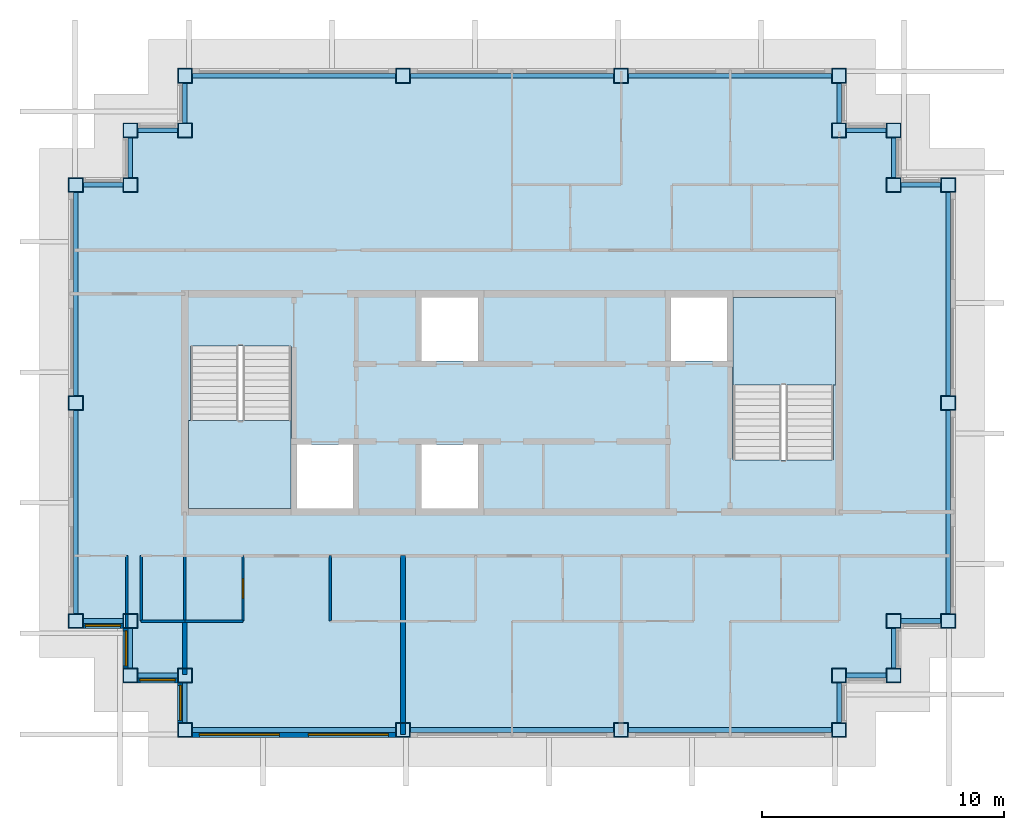
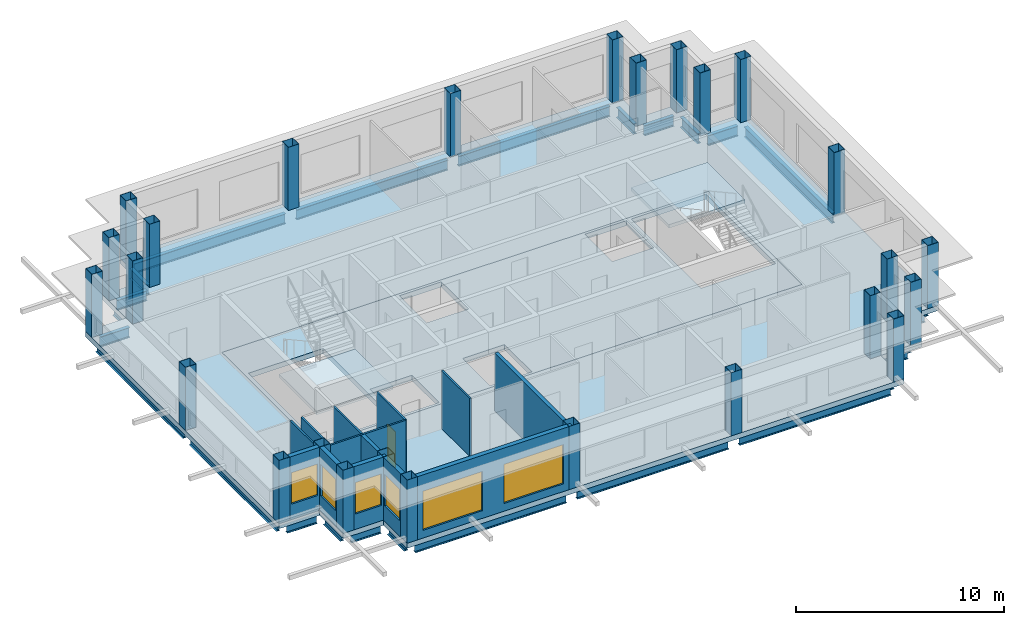
# One storey, part 1 of 10: 26 beams, 26 columns, 14 walls, 6 windows, 4 slabs, 1 door, 7 openings, 2 elements without a shape of their own.
"""IFC4 building model written with IfcOpenShell, lengths in metres."""

from ifc_helpers import new_model, si_unit, direction, frame, frame_2d, origin, origin_2d, place, context, subcontext, project, spatial, polyline, rectangle, hollow_rectangle, i_section, outline, extrude, material, layer, layer_set, material_profile, profile_set, type_object, element, fill, aggregate, save


model = new_model("IFC4")

# Units and contexts
model_context = context("Model", 3, precision=1e-05, world=origin(), true_north=direction((0.0, 1.0)))
body_context = subcontext(model_context, "Body", "Model", "MODEL_VIEW")
ifc_project = project(units=[si_unit("LENGTHUNIT", "METRE"), si_unit("AREAUNIT", "SQUARE_METRE"), si_unit("VOLUMEUNIT", "CUBIC_METRE"), si_unit("PLANEANGLEUNIT", "RADIAN"), si_unit("MASSUNIT", "GRAM", prefix="KILO")], contexts=[model_context])

# Site, building, storey
site_placement = place(None, origin())
site = spatial("IfcSite", under=ifc_project, at=site_placement, CompositionType="ELEMENT")
building_placement = place(site_placement, origin())
building = spatial("IfcBuilding", under=site, at=building_placement, Name="Caravel Reach Hotel and Residences", CompositionType="ELEMENT")
storey_placement = place(building_placement, frame((0.0, 0.0, 290.800048828125)))
storey = spatial("IfcBuildingStorey", under=building, at=storey_placement, Name="L74", CompositionType="ELEMENT", Elevation=290.800048828125)

# Columns
ifc_material_1 = material(Name="Concrete-filled steel tube Q390B with Concrete C60 infill", Category="concrete")
ifc_material_profile_1 = material_profile(ifc_material_1, hollow_rectangle(XDim=0.60009765625, YDim=0.60009765625, WallThickness=0.02001953125, at=origin_2d()), Name="RHS 600x600x20")
ifc_profile_set_1 = profile_set([ifc_material_profile_1], Name="Concrete-filled steel tube Q390B with Concrete C60 infill")
column_type = type_object("IfcColumnType", Name="CFT 600x600 Q390B C60", PredefinedType="COLUMN", material=ifc_profile_set_1)
for number, where, z_axis, x_axis, name in (
    (1, (45.0, 13.5, 0.0), (0.0, 0.0, 1.0), (1.0, 0.0, 0.0), "C8 column"),
    (2, (45.0, 15.75, 0.0), (0.0, 0.0, 1.0), (1.0, 0.0, 0.0), "C8 column"),
    (3, (47.25, 15.75, 0.0), (0.0, 0.0, 1.0), (1.0, 0.0, 0.0), "C8 column"),
    (4, (47.25, 18.0, 0.0), (0.0, 0.0, 1.0), (1.0, 0.0, 0.0), "C8 column"),
    (5, (49.5, 18.0, 0.0), (0.0, 0.0, 1.0), (1.0, 0.0, 0.0), "C8 column"),
    (6, (49.5, 27.0, 0.0), (0.0, 0.0, 1.0), (1.0, 0.0, 0.0), "C8 column"),
    (7, (49.5, 36.0, 0.0), (0.0, 0.0, 1.0), (1.0, 0.0, 0.0), "C8 column"),
    (8, (47.25, 36.0, 0.0), (0.0, 0.0, 1.0), (1.0, 0.0, 0.0), "C8 column"),
    (9, (47.25, 38.25, 0.0), (0.0, 0.0, 1.0), (1.0, 0.0, 0.0), "C8 column"),
    (10, (45.0, 38.25, 0.0), (0.0, 0.0, 1.0), (1.0, 0.0, 0.0), "C8 column"),
    (11, (45.0, 40.5, 0.0), (0.0, 0.0, 1.0), (1.0, 0.0, 0.0), "C8 column"),
    (12, (36.0, 40.5, 0.0), (0.0, 0.0, 1.0), (1.0, 0.0, 0.0), "C8 column"),
    (13, (27.0, 40.5, 0.0), (0.0, 0.0, 1.0), (1.0, 0.0, 0.0), "C8 column"),
    (14, (18.0, 40.5, 0.0), (0.0, 0.0, 1.0), (1.0, 0.0, 0.0), "C8 column"),
    (15, (18.0, 38.25, 0.0), (0.0, 0.0, 1.0), (1.0, 0.0, 0.0), "C8 column"),
    (16, (15.75, 38.25, 0.0), (0.0, 0.0, 1.0), (1.0, 0.0, 0.0), "C8 column"),
    (17, (15.75, 36.0, 0.0), (0.0, 0.0, 1.0), (1.0, 0.0, 0.0), "C8 column"),
    (18, (13.5, 36.0, 0.0), (0.0, 0.0, 1.0), (1.0, 0.0, 0.0), "C8 column"),
    (19, (13.5, 27.0, 0.0), (0.0, 0.0, 1.0), (1.0, 0.0, 0.0), "C8 column"),
    (20, (13.5, 18.0, 0.0), (0.0, 0.0, 1.0), (1.0, 0.0, 0.0), "C8 column"),
    (21, (15.75, 18.0, 0.0), (0.0, 0.0, 1.0), (1.0, 0.0, 0.0), "C8 column"),
    (22, (15.75, 15.75, 0.0), (0.0, 0.0, 1.0), (1.0, 0.0, 0.0), "C8 column"),
    (23, (18.0, 15.75, 0.0), (0.0, 0.0, 1.0), (1.0, 0.0, 0.0), "C8 column"),
    (24, (18.0, 13.5, 0.0), (0.0, 0.0, 1.0), (1.0, 0.0, 0.0), "C8 column"),
    (25, (27.0, 13.5, 0.0), (0.0, 0.0, 1.0), (1.0, 0.0, 0.0), "C8 column"),
    (26, (36.0, 13.5, 0.0), (0.0, 0.0, 1.0), (1.0, 0.0, 0.0), "C8 column"),
):
    element("IfcColumn", number, at=place(storey_placement, frame(where, z_axis=z_axis, x_axis=x_axis)), inside=storey, type_object=column_type, Name=name, PredefinedType="COLUMN", context=body_context, shape_type="SweptSolid", body=[
        extrude(hollow_rectangle(XDim=0.60009765625, YDim=0.60009765625, WallThickness=0.02001953125, at=origin_2d()), origin(), (0.0, 0.0, 1.0), 3.699951171875),
    ])

# Beams
ifc_material_2 = material(Name="Structural steel Q355B", Category="steel")
ifc_material_profile_2 = material_profile(ifc_material_2, i_section(OverallWidth=0.199951171875, OverallDepth=0.60009765625, WebThickness=0.010986328125, FlangeThickness=0.01708984375, FilletRadius=0.012939453125, at=origin_2d()), Name="HN 600x200x11x17")
ifc_profile_set_2 = profile_set([ifc_material_profile_2], Name="Structural steel Q355B")
beam_type = type_object("IfcBeamType", Name="Spandrel beam HN 600x200x11x17", PredefinedType="SPANDREL", material=ifc_profile_set_2)
for number, where, z_axis, x_axis, name in (
    (27, (45.0, 13.800048828125, -0.60009765625), (0.0, 1.0, 0.0), (-1.0, 0.0, 0.0), "SP1 HN 600x200x11x17"),
    (28, (45.300048828125, 15.75, -0.60009765625), (1.0, 0.0, 0.0), (0.0, 1.0, 0.0), "SP1 HN 600x200x11x17"),
    (29, (47.25, 16.050048828125, -0.60009765625), (0.0, 1.0, 0.0), (-1.0, 0.0, 0.0), "SP1 HN 600x200x11x17"),
    (30, (47.550048828125, 18.0, -0.60009765625), (1.0, 0.0, 0.0), (0.0, 1.0, 0.0), "SP1 HN 600x200x11x17"),
):
    element("IfcBeam", number, at=place(storey_placement, frame(where, z_axis=z_axis, x_axis=x_axis)), inside=storey, type_object=beam_type, Name=name, PredefinedType="SPANDREL", context=body_context, shape_type="SweptSolid", body=[
        extrude(i_section(OverallWidth=0.199951171875, OverallDepth=0.60009765625, WebThickness=0.010986328125, FlangeThickness=0.01708984375, FilletRadius=0.012939453125, at=origin_2d()), origin(), (0.0, 0.0, 1.0), 1.64990234375),
    ])
for number, where, z_axis, x_axis, name in (
    (31, (49.5, 18.300048828125, -0.60009765625), (0.0, 1.0, 0.0), (-1.0, 0.0, 0.0), "SP1 HN 600x200x11x17"),
    (32, (49.5, 27.300048828125, -0.60009765625), (0.0, 1.0, 0.0), (-1.0, 0.0, 0.0), "SP1 HN 600x200x11x17"),
):
    element("IfcBeam", number, at=place(storey_placement, frame(where, z_axis=z_axis, x_axis=x_axis)), inside=storey, type_object=beam_type, Name=name, PredefinedType="SPANDREL", context=body_context, shape_type="SweptSolid", body=[
        extrude(i_section(OverallWidth=0.199951171875, OverallDepth=0.60009765625, WebThickness=0.010986328125, FlangeThickness=0.01708984375, FilletRadius=0.012939453125, at=origin_2d()), origin(), (0.0, 0.0, 1.0), 8.39990234375),
    ])
for number, where, z_axis, x_axis, name in (
    (33, (49.199951171875, 36.0, -0.60009765625), (-1.0, 0.0, 0.0), (0.0, -1.0, 0.0), "SP1 HN 600x200x11x17"),
    (34, (47.25, 36.300048828125, -0.60009765625), (0.0, 1.0, 0.0), (-1.0, 0.0, 0.0), "SP1 HN 600x200x11x17"),
    (35, (46.949951171875, 38.25, -0.60009765625), (-1.0, 0.0, 0.0), (0.0, -1.0, 0.0), "SP1 HN 600x200x11x17"),
    (36, (45.0, 38.550048828125, -0.60009765625), (0.0, 1.0, 0.0), (-1.0, 0.0, 0.0), "SP1 HN 600x200x11x17"),
):
    element("IfcBeam", number, at=place(storey_placement, frame(where, z_axis=z_axis, x_axis=x_axis)), inside=storey, type_object=beam_type, Name=name, PredefinedType="SPANDREL", context=body_context, shape_type="SweptSolid", body=[
        extrude(i_section(OverallWidth=0.199951171875, OverallDepth=0.60009765625, WebThickness=0.010986328125, FlangeThickness=0.01708984375, FilletRadius=0.012939453125, at=origin_2d()), origin(), (0.0, 0.0, 1.0), 1.64990234375),
    ])
for number, where, z_axis, x_axis, name in (
    (37, (44.699951171875, 40.5, -0.60009765625), (-1.0, 0.0, 0.0), (0.0, -1.0, 0.0), "SP1 HN 600x200x11x17"),
    (38, (35.699951171875, 40.5, -0.60009765625), (-1.0, 0.0, 0.0), (0.0, -1.0, 0.0), "SP1 HN 600x200x11x17"),
    (39, (26.699951171875, 40.5, -0.60009765625), (-1.0, 0.0, 0.0), (0.0, -1.0, 0.0), "SP1 HN 600x200x11x17"),
):
    element("IfcBeam", number, at=place(storey_placement, frame(where, z_axis=z_axis, x_axis=x_axis)), inside=storey, type_object=beam_type, Name=name, PredefinedType="SPANDREL", context=body_context, shape_type="SweptSolid", body=[
        extrude(i_section(OverallWidth=0.199951171875, OverallDepth=0.60009765625, WebThickness=0.010986328125, FlangeThickness=0.01708984375, FilletRadius=0.012939453125, at=origin_2d()), origin(), (0.0, 0.0, 1.0), 8.39990234375),
    ])
for number, where, z_axis, x_axis, name in (
    (40, (18.0, 40.199951171875, -0.60009765625), (0.0, -1.0, 0.0), (1.0, 0.0, 0.0), "SP1 HN 600x200x11x17"),
    (41, (17.699951171875, 38.25, -0.60009765625), (-1.0, 0.0, 0.0), (0.0, -1.0, 0.0), "SP1 HN 600x200x11x17"),
    (42, (15.75, 37.949951171875, -0.60009765625), (0.0, -1.0, 0.0), (1.0, 0.0, 0.0), "SP1 HN 600x200x11x17"),
    (43, (15.449951171875, 36.0, -0.60009765625), (-1.0, 0.0, 0.0), (0.0, -1.0, 0.0), "SP1 HN 600x200x11x17"),
):
    element("IfcBeam", number, at=place(storey_placement, frame(where, z_axis=z_axis, x_axis=x_axis)), inside=storey, type_object=beam_type, Name=name, PredefinedType="SPANDREL", context=body_context, shape_type="SweptSolid", body=[
        extrude(i_section(OverallWidth=0.199951171875, OverallDepth=0.60009765625, WebThickness=0.010986328125, FlangeThickness=0.01708984375, FilletRadius=0.012939453125, at=origin_2d()), origin(), (0.0, 0.0, 1.0), 1.64990234375),
    ])
for number, where, z_axis, x_axis, name in (
    (44, (13.5, 35.699951171875, -0.60009765625), (0.0, -1.0, 0.0), (1.0, 0.0, 0.0), "SP1 HN 600x200x11x17"),
    (45, (13.5, 26.699951171875, -0.60009765625), (0.0, -1.0, 0.0), (1.0, 0.0, 0.0), "SP1 HN 600x200x11x17"),
):
    element("IfcBeam", number, at=place(storey_placement, frame(where, z_axis=z_axis, x_axis=x_axis)), inside=storey, type_object=beam_type, Name=name, PredefinedType="SPANDREL", context=body_context, shape_type="SweptSolid", body=[
        extrude(i_section(OverallWidth=0.199951171875, OverallDepth=0.60009765625, WebThickness=0.010986328125, FlangeThickness=0.01708984375, FilletRadius=0.012939453125, at=origin_2d()), origin(), (0.0, 0.0, 1.0), 8.39990234375),
    ])
for number, where, z_axis, x_axis, name in (
    (46, (13.800048828125, 18.0, -0.60009765625), (1.0, 0.0, 0.0), (0.0, 1.0, 0.0), "SP1 HN 600x200x11x17"),
    (47, (15.75, 17.699951171875, -0.60009765625), (0.0, -1.0, 0.0), (1.0, 0.0, 0.0), "SP1 HN 600x200x11x17"),
    (48, (16.050048828125, 15.75, -0.60009765625), (1.0, 0.0, 0.0), (0.0, 1.0, 0.0), "SP1 HN 600x200x11x17"),
    (49, (18.0, 15.449951171875, -0.60009765625), (0.0, -1.0, 0.0), (1.0, 0.0, 0.0), "SP1 HN 600x200x11x17"),
):
    element("IfcBeam", number, at=place(storey_placement, frame(where, z_axis=z_axis, x_axis=x_axis)), inside=storey, type_object=beam_type, Name=name, PredefinedType="SPANDREL", context=body_context, shape_type="SweptSolid", body=[
        extrude(i_section(OverallWidth=0.199951171875, OverallDepth=0.60009765625, WebThickness=0.010986328125, FlangeThickness=0.01708984375, FilletRadius=0.012939453125, at=origin_2d()), origin(), (0.0, 0.0, 1.0), 1.64990234375),
    ])
for number, where, z_axis, x_axis, name in (
    (50, (18.300048828125, 13.5, -0.60009765625), (1.0, 0.0, 0.0), (0.0, 1.0, 0.0), "SP1 HN 600x200x11x17"),
    (51, (27.300048828125, 13.5, -0.60009765625), (1.0, 0.0, 0.0), (0.0, 1.0, 0.0), "SP1 HN 600x200x11x17"),
    (52, (36.300048828125, 13.5, -0.60009765625), (1.0, 0.0, 0.0), (0.0, 1.0, 0.0), "SP1 HN 600x200x11x17"),
):
    element("IfcBeam", number, at=place(storey_placement, frame(where, z_axis=z_axis, x_axis=x_axis)), inside=storey, type_object=beam_type, Name=name, PredefinedType="SPANDREL", context=body_context, shape_type="SweptSolid", body=[
        extrude(i_section(OverallWidth=0.199951171875, OverallDepth=0.60009765625, WebThickness=0.010986328125, FlangeThickness=0.01708984375, FilletRadius=0.012939453125, at=origin_2d()), origin(), (0.0, 0.0, 1.0), 8.39990234375),
    ])

# Slab
ifc_material_3 = material(Name="Concrete C40", Category="concrete")
ifc_layer_1 = layer(ifc_material_3, 0.300048828125)
ifc_layer_set_1 = layer_set([ifc_layer_1], Name="Core floor slab 300 mm")
slab_type_1 = type_object("IfcSlabType", Name="Core floor slab 300 mm", PredefinedType="FLOOR", material=ifc_layer_set_1)
slab_1_placement = place(storey_placement, frame((0.0, 0.0, -0.300048828125)))
element("IfcSlab", 53, at=slab_1_placement, inside=storey, type_object=slab_type_1, Name="L74 core floor", PredefinedType="FLOOR", context=body_context, shape_type="SweptSolid", body=[
    extrude(outline(polyline([(18.0, 31.5), (45.0, 31.5), (45.0, 22.5), (18.0, 22.5), (18.0, 31.5)]), holes=[polyline([(22.625, 22.64990234375), (24.9462890625, 22.64990234375), (24.9462890625, 25.27490234375), (22.625, 25.27490234375), (22.625, 22.64990234375)]), polyline([(27.767822265625, 25.27490234375), (27.767822265625, 22.64990234375), (30.08935546875, 22.64990234375), (30.08935546875, 25.27490234375), (27.767822265625, 25.27490234375)]), polyline([(22.375, 22.64990234375), (22.375, 29.35009765625), (18.22509765625, 29.35009765625), (18.22509765625, 22.64990234375), (22.375, 22.64990234375)]), polyline([(40.625, 24.64990234375), (44.77490234375, 24.64990234375), (44.77490234375, 31.35009765625), (40.625, 31.35009765625), (40.625, 24.64990234375)]), polyline([(27.767822265625, 31.35009765625), (27.767822265625, 28.72509765625), (30.08935546875, 28.72509765625), (30.08935546875, 31.35009765625), (27.767822265625, 31.35009765625)]), polyline([(38.0537109375, 31.35009765625), (38.0537109375, 28.72509765625), (40.375, 28.72509765625), (40.375, 31.35009765625), (38.0537109375, 31.35009765625)])]), origin(), (0.0, 0.0, 1.0), 0.300048828125),
])

# Stair, slab
ifc_material_4 = material(Name="Concrete C40", Category="concrete")
stair_type = type_object("IfcStairType", Name="Core stair", PredefinedType="HALF_TURN_STAIR", material=ifc_material_4)
stair_1_placement = place(storey_placement, origin())
stair_1 = element("IfcStair", 54, at=stair_1_placement, inside=storey, type_object=stair_type, Name="L74 Exit stair A", PredefinedType="HALF_TURN_STAIR")
ifc_material_5 = material(Name="Concrete C40", Category="concrete")
ifc_layer_2 = layer(ifc_material_5, 0.199951171875)
ifc_layer_set_2 = layer_set([ifc_layer_2], Name="Core stair landing")
slab_type_2 = type_object("IfcSlabType", Name="Core stair landing", PredefinedType="LANDING", material=ifc_layer_set_2)
slab_2_placement = place(storey_placement, frame((0.0, 0.0, 1.64990234375)))
slab_2 = element("IfcSlab", 55, at=slab_2_placement, type_object=slab_type_2, Name="ST-A landing 1", PredefinedType="LANDING", context=body_context, shape_type="SweptSolid", body=[
    extrude(outline(polyline([(18.14990234375, 26.27001953125), (18.14990234375, 22.64990234375), (22.375, 22.64990234375), (22.375, 26.27001953125), (18.14990234375, 26.27001953125)])), origin(), (0.0, 0.0, 1.0), 0.199951171875),
])
aggregate(stair_1, [slab_2])

stair_2_placement = place(storey_placement, origin())
stair_2 = element("IfcStair", 56, at=stair_2_placement, inside=storey, type_object=stair_type, Name="L74 Exit stair B", PredefinedType="HALF_TURN_STAIR")
slab_3_placement = place(storey_placement, frame((0.0, 0.0, 1.64990234375)))
slab_3 = element("IfcSlab", 57, at=slab_3_placement, type_object=slab_type_2, Name="ST-B landing 1", PredefinedType="LANDING", context=body_context, shape_type="SweptSolid", body=[
    extrude(outline(polyline([(44.85009765625, 27.72998046875), (44.85009765625, 31.35009765625), (40.625, 31.35009765625), (40.625, 27.72998046875), (44.85009765625, 27.72998046875)])), origin(), (0.0, 0.0, 1.0), 0.199951171875),
])
aggregate(stair_2, [slab_3])

# Slab
ifc_material_6 = material(Name="Concrete C40 post-tensioned", Category="concrete")
ifc_layer_3 = layer(ifc_material_6, 0.300048828125)
ifc_layer_set_3 = layer_set([ifc_layer_3], Name="Floor slab 300")
slab_type_3 = type_object("IfcSlabType", Name="Floor slab 300", PredefinedType="FLOOR", material=ifc_layer_set_3)
slab_4_placement = place(storey_placement, frame((0.0, 0.0, -0.300048828125)))
element("IfcSlab", 58, at=slab_4_placement, inside=storey, type_object=slab_type_3, Name="S2 slab L74", PredefinedType="FLOOR", context=body_context, shape_type="SweptSolid", body=[
    extrude(outline(polyline([(17.699951171875, 15.449951171875), (15.449951171875, 15.449951171875), (15.449951171875, 17.699951171875), (13.199951171875, 17.699951171875), (13.199951171875, 36.300048828125), (15.449951171875, 36.300048828125), (15.449951171875, 38.550048828125), (17.699951171875, 38.550048828125), (17.699951171875, 40.800048828125), (45.300048828125, 40.800048828125), (45.300048828125, 38.550048828125), (47.550048828125, 38.550048828125), (47.550048828125, 36.300048828125), (49.800048828125, 36.300048828125), (49.800048828125, 17.699951171875), (47.550048828125, 17.699951171875), (47.550048828125, 15.449951171875), (45.300048828125, 15.449951171875), (45.300048828125, 13.199951171875), (17.699951171875, 13.199951171875), (17.699951171875, 15.449951171875)]), holes=[polyline([(45.0, 31.5), (18.0, 31.5), (18.0, 22.5), (45.0, 22.5), (45.0, 31.5)])]), origin(), (0.0, 0.0, 1.0), 0.300048828125),
])

# Walls
ifc_material_7 = material(Name="Gypsum board on steel stud", Category="steel")
ifc_layer_4 = layer(ifc_material_7, 0.10009765625)
ifc_layer_set_4 = layer_set([ifc_layer_4], Name="Bathroom pod wall 100 mm")
wall_type_1 = type_object("IfcWallType", Name="Bathroom pod wall 100 mm", PredefinedType="PARTITIONING", material=ifc_layer_set_4)
wall_1_placement = place(storey_placement, frame((18.0, 18.0, 0.0), z_axis=(0.0, 0.0, 1.0), x_axis=(1.0, 0.0, 0.0)))
element("IfcWall", 59, at=wall_1_placement, inside=storey, type_object=wall_type_1, Name="L74 wall w045", PredefinedType="PARTITIONING", context=body_context, shape_type="SweptSolid", body=[
    extrude(rectangle(XDim=2.39990234375, YDim=0.10009765625, at=frame_2d((1.199951171875, 0.0))), origin(), (0.0, 0.0, 1.0), 3.39990234375),
])
wall_2_placement = place(storey_placement, frame((15.60009765625, 17.699951171875, 0.0), z_axis=(0.0, 0.0, 1.0), x_axis=(0.0, 1.0, 0.0)))
element("IfcWall", 60, at=wall_2_placement, inside=storey, type_object=wall_type_1, Name="L74 wall w054", PredefinedType="PARTITIONING", context=body_context, shape_type="SweptSolid", body=[
    extrude(rectangle(XDim=3.0, YDim=0.10009765625, at=frame_2d((1.5, 0.0))), origin(), (0.0, 0.0, 1.0), 3.39990234375),
])
wall_3_placement = place(storey_placement, frame((18.0, 18.0, 0.0), z_axis=(0.0, 0.0, 1.0), x_axis=(0.0, 1.0, 0.0)))
element("IfcWall", 61, at=wall_3_placement, inside=storey, type_object=wall_type_1, Name="L74 wall w055", PredefinedType="PARTITIONING", context=body_context, shape_type="SweptSolid", body=[
    extrude(rectangle(XDim=2.699951171875, YDim=0.10009765625, at=frame_2d((1.35009765625, 0.0))), origin(), (0.0, 0.0, 1.0), 3.39990234375),
])

# Wall, opening, door
wall_4_placement = place(storey_placement, frame((20.39990234375, 18.0, 0.0), z_axis=(0.0, 0.0, 1.0), x_axis=(0.0, 1.0, 0.0)))
wall_4 = element("IfcWall", 62, at=wall_4_placement, inside=storey, type_object=wall_type_1, Name="L74 wall w056", PredefinedType="PARTITIONING", context=body_context, shape_type="SweptSolid", body=[
    extrude(rectangle(XDim=2.699951171875, YDim=0.10009765625, at=frame_2d((1.35009765625, 0.0))), origin(), (0.0, 0.0, 1.0), 3.39990234375),
])
opening_1_placement = place(wall_4_placement, frame((0.949951171875, 0.0, 0.0)))
opening_1 = element("IfcOpeningElement", 63, at=opening_1_placement, cuts=wall_4, Name="Opening D74-025", PredefinedType="OPENING", context=body_context, shape_type="SweptSolid", body=[
    extrude(rectangle(XDim=0.800048828125, YDim=2.10009765625, at=frame_2d((0.39990234375, 1.050048828125))), frame((0.0, 0.06005859375, 0.0), z_axis=(0.0, -1.0, 0.0), x_axis=(1.0, 0.0, 0.0)), (0.0, 0.0, 1.0), 0.1201171875),
])
ifc_material_8 = material(Name="Timber and steel door leaf", Category="steel")
door_type = type_object("IfcDoorType", Name="Bathroom door 800 x 2100", OperationType="SINGLE_SWING_LEFT", PredefinedType="DOOR", material=ifc_material_8)
door_placement = place(opening_1_placement, origin())
door = element("IfcDoor", 64, at=door_placement, inside=storey, type_object=door_type, Name="door D74-025", OperationType="SINGLE_SWING_LEFT", OverallHeight=2.10009765625, OverallWidth=0.800048828125, PredefinedType="DOOR", context=body_context, shape_type="SweptSolid", body=[
    extrude(rectangle(XDim=0.800048828125, YDim=2.10009765625, at=frame_2d((0.39990234375, 1.050048828125))), frame((0.0, 0.02490234375, 0.0), z_axis=(0.0, -1.0, 0.0), x_axis=(1.0, 0.0, 0.0)), (0.0, 0.0, 1.0), 0.050048828125),
])
fill(opening_1, door)

# Wall, opening, window
ifc_material_9 = material(Name="Insulated rainscreen wall, aluminium cladding", Category="aluminium")
ifc_layer_5 = layer(ifc_material_9, 0.25)
ifc_layer_set_5 = layer_set([ifc_layer_5], Name="EW1 Tower rainscreen wall")
wall_type_2 = type_object("IfcWallType", Name="EW1 Tower rainscreen wall", PredefinedType="SOLIDWALL", material=ifc_layer_set_5)
wall_5_placement = place(storey_placement, frame((13.800048828125, 17.824951171875, 0.0), z_axis=(0.0, 0.0, 1.0), x_axis=(1.0, 0.0, 0.0)))
wall_5 = element("IfcWall", 65, at=wall_5_placement, inside=storey, type_object=wall_type_2, Name="External wall L74 S16.1", PredefinedType="SOLIDWALL", context=body_context, shape_type="SweptSolid", body=[
    extrude(rectangle(XDim=1.64990234375, YDim=0.25, at=frame_2d((0.824951171875, 0.0))), origin(), (0.0, 0.0, 1.0), 3.699951171875),
])
opening_2_placement = place(wall_5_placement, frame((0.10009765625, 0.0, 0.89990234375)))
opening_2 = element("IfcOpeningElement", 66, at=opening_2_placement, cuts=wall_5, Name="Opening WN25", PredefinedType="OPENING", context=body_context, shape_type="SweptSolid", body=[
    extrude(rectangle(XDim=1.449951171875, YDim=1.85009765625, at=frame_2d((0.72509765625, 0.925048828125))), frame((0.0, 0.135009765625, 0.0), z_axis=(0.0, -1.0, 0.0), x_axis=(1.0, 0.0, 0.0)), (0.0, 0.0, 1.0), 0.27001953125),
])
ifc_material_10 = material(Name="Dark low-e glazing in black aluminium frame", Category="aluminium")
window_type_1 = type_object("IfcWindowType", Name="Residence bedroom window 1450 x 1850", PartitioningType="SINGLE_PANEL", PredefinedType="WINDOW", material=ifc_material_10)
window_1_placement = place(opening_2_placement, origin())
window_1 = element("IfcWindow", 67, at=window_1_placement, inside=storey, type_object=window_type_1, Name="Window L74 S16.1.1", OverallHeight=1.85009765625, OverallWidth=1.449951171875, PartitioningType="SINGLE_PANEL", PredefinedType="WINDOW", context=body_context, shape_type="SweptSolid", body=[
    extrude(rectangle(XDim=1.449951171875, YDim=1.85009765625, at=frame_2d((0.72509765625, 0.925048828125))), frame((0.0, 0.030029296875, 0.0), z_axis=(0.0, -1.0, 0.0), x_axis=(1.0, 0.0, 0.0)), (0.0, 0.0, 1.0), 0.06005859375),
])
fill(opening_2, window_1)

wall_6_placement = place(storey_placement, frame((15.574951171875, 17.699951171875, 0.0), z_axis=(0.0, 0.0, 1.0), x_axis=(0.0, -1.0, 0.0)))
wall_6 = element("IfcWall", 68, at=wall_6_placement, inside=storey, type_object=wall_type_2, Name="External wall L74 W17.1", PredefinedType="SOLIDWALL", context=body_context, shape_type="SweptSolid", body=[
    extrude(rectangle(XDim=1.64990234375, YDim=0.25, at=frame_2d((0.824951171875, 0.0))), origin(), (0.0, 0.0, 1.0), 3.699951171875),
])
opening_3_placement = place(wall_6_placement, frame((0.10009765625, 0.0, 0.89990234375)))
opening_3 = element("IfcOpeningElement", 69, at=opening_3_placement, cuts=wall_6, Name="Opening WN25", PredefinedType="OPENING", context=body_context, shape_type="SweptSolid", body=[
    extrude(rectangle(XDim=1.449951171875, YDim=1.85009765625, at=frame_2d((0.72509765625, 0.925048828125))), frame((0.0, 0.135009765625, 0.0), z_axis=(0.0, -1.0, 0.0), x_axis=(1.0, 0.0, 0.0)), (0.0, 0.0, 1.0), 0.27001953125),
])
window_2_placement = place(opening_3_placement, origin())
window_2 = element("IfcWindow", 70, at=window_2_placement, inside=storey, type_object=window_type_1, Name="Window L74 W17.1.1", OverallHeight=1.85009765625, OverallWidth=1.449951171875, PartitioningType="SINGLE_PANEL", PredefinedType="WINDOW", context=body_context, shape_type="SweptSolid", body=[
    extrude(rectangle(XDim=1.449951171875, YDim=1.85009765625, at=frame_2d((0.72509765625, 0.925048828125))), frame((0.0, 0.030029296875, 0.0), z_axis=(0.0, -1.0, 0.0), x_axis=(1.0, 0.0, 0.0)), (0.0, 0.0, 1.0), 0.06005859375),
])
fill(opening_3, window_2)

wall_7_placement = place(storey_placement, frame((16.050048828125, 15.574951171875, 0.0), z_axis=(0.0, 0.0, 1.0), x_axis=(1.0, 0.0, 0.0)))
wall_7 = element("IfcWall", 71, at=wall_7_placement, inside=storey, type_object=wall_type_2, Name="External wall L74 S18.1", PredefinedType="SOLIDWALL", context=body_context, shape_type="SweptSolid", body=[
    extrude(rectangle(XDim=1.64990234375, YDim=0.25, at=frame_2d((0.824951171875, 0.0))), origin(), (0.0, 0.0, 1.0), 3.699951171875),
])
opening_4_placement = place(wall_7_placement, frame((0.10009765625, 0.0, 0.89990234375)))
opening_4 = element("IfcOpeningElement", 72, at=opening_4_placement, cuts=wall_7, Name="Opening WN25", PredefinedType="OPENING", context=body_context, shape_type="SweptSolid", body=[
    extrude(rectangle(XDim=1.449951171875, YDim=1.85009765625, at=frame_2d((0.72509765625, 0.925048828125))), frame((0.0, 0.135009765625, 0.0), z_axis=(0.0, -1.0, 0.0), x_axis=(1.0, 0.0, 0.0)), (0.0, 0.0, 1.0), 0.27001953125),
])
window_3_placement = place(opening_4_placement, origin())
window_3 = element("IfcWindow", 73, at=window_3_placement, inside=storey, type_object=window_type_1, Name="Window L74 S18.1.1", OverallHeight=1.85009765625, OverallWidth=1.449951171875, PartitioningType="SINGLE_PANEL", PredefinedType="WINDOW", context=body_context, shape_type="SweptSolid", body=[
    extrude(rectangle(XDim=1.449951171875, YDim=1.85009765625, at=frame_2d((0.72509765625, 0.925048828125))), frame((0.0, 0.030029296875, 0.0), z_axis=(0.0, -1.0, 0.0), x_axis=(1.0, 0.0, 0.0)), (0.0, 0.0, 1.0), 0.06005859375),
])
fill(opening_4, window_3)

wall_8_placement = place(storey_placement, frame((17.824951171875, 15.449951171875, 0.0), z_axis=(0.0, 0.0, 1.0), x_axis=(0.0, -1.0, 0.0)))
wall_8 = element("IfcWall", 74, at=wall_8_placement, inside=storey, type_object=wall_type_2, Name="External wall L74 W19.1", PredefinedType="SOLIDWALL", context=body_context, shape_type="SweptSolid", body=[
    extrude(rectangle(XDim=1.64990234375, YDim=0.25, at=frame_2d((0.824951171875, 0.0))), origin(), (0.0, 0.0, 1.0), 3.699951171875),
])
opening_5_placement = place(wall_8_placement, frame((0.10009765625, 0.0, 0.89990234375)))
opening_5 = element("IfcOpeningElement", 75, at=opening_5_placement, cuts=wall_8, Name="Opening WN25", PredefinedType="OPENING", context=body_context, shape_type="SweptSolid", body=[
    extrude(rectangle(XDim=1.449951171875, YDim=1.85009765625, at=frame_2d((0.72509765625, 0.925048828125))), frame((0.0, 0.135009765625, 0.0), z_axis=(0.0, -1.0, 0.0), x_axis=(1.0, 0.0, 0.0)), (0.0, 0.0, 1.0), 0.27001953125),
])
window_4_placement = place(opening_5_placement, origin())
window_4 = element("IfcWindow", 76, at=window_4_placement, inside=storey, type_object=window_type_1, Name="Window L74 W19.1.1", OverallHeight=1.85009765625, OverallWidth=1.449951171875, PartitioningType="SINGLE_PANEL", PredefinedType="WINDOW", context=body_context, shape_type="SweptSolid", body=[
    extrude(rectangle(XDim=1.449951171875, YDim=1.85009765625, at=frame_2d((0.72509765625, 0.925048828125))), frame((0.0, 0.030029296875, 0.0), z_axis=(0.0, -1.0, 0.0), x_axis=(1.0, 0.0, 0.0)), (0.0, 0.0, 1.0), 0.06005859375),
])
fill(opening_5, window_4)

# Wall, openings, windows
wall_9_placement = place(storey_placement, frame((18.300048828125, 13.324951171875, 0.0), z_axis=(0.0, 0.0, 1.0), x_axis=(1.0, 0.0, 0.0)))
wall_9 = element("IfcWall", 77, at=wall_9_placement, inside=storey, type_object=wall_type_2, Name="External wall L74 S20.1", PredefinedType="SOLIDWALL", context=body_context, shape_type="SweptSolid", body=[
    extrude(rectangle(XDim=8.39990234375, YDim=0.25, at=frame_2d((4.199951171875, 0.0))), origin(), (0.0, 0.0, 1.0), 3.699951171875),
])
opening_6_placement = place(wall_9_placement, frame((0.300048828125, 0.0, 0.449951171875)))
opening_6 = element("IfcOpeningElement", 78, at=opening_6_placement, cuts=wall_9, Name="Opening WN15", PredefinedType="OPENING", context=body_context, shape_type="SweptSolid", body=[
    extrude(rectangle(XDim=3.300048828125, YDim=2.300048828125, at=frame_2d((1.64990234375, 1.14990234375))), frame((0.0, 0.135009765625, 0.0), z_axis=(0.0, -1.0, 0.0), x_axis=(1.0, 0.0, 0.0)), (0.0, 0.0, 1.0), 0.27001953125),
])
opening_7_placement = place(wall_9_placement, frame((4.800048828125, 0.0, 0.449951171875)))
opening_7 = element("IfcOpeningElement", 79, at=opening_7_placement, cuts=wall_9, Name="Opening WN15", PredefinedType="OPENING", context=body_context, shape_type="SweptSolid", body=[
    extrude(rectangle(XDim=3.300048828125, YDim=2.300048828125, at=frame_2d((1.64990234375, 1.14990234375))), frame((0.0, 0.135009765625, 0.0), z_axis=(0.0, -1.0, 0.0), x_axis=(1.0, 0.0, 0.0)), (0.0, 0.0, 1.0), 0.27001953125),
])
ifc_material_11 = material(Name="Dark low-e glazing in black aluminium frame", Category="aluminium")
window_type_2 = type_object("IfcWindowType", Name="Residence living window 3300 x 2300", PartitioningType="SINGLE_PANEL", PredefinedType="WINDOW", material=ifc_material_11)
window_5_placement = place(opening_6_placement, origin())
window_5 = element("IfcWindow", 80, at=window_5_placement, inside=storey, type_object=window_type_2, Name="Window L74 S20.1.1", OverallHeight=2.300048828125, OverallWidth=3.300048828125, PartitioningType="SINGLE_PANEL", PredefinedType="WINDOW", context=body_context, shape_type="SweptSolid", body=[
    extrude(rectangle(XDim=3.300048828125, YDim=2.300048828125, at=frame_2d((1.64990234375, 1.14990234375))), frame((0.0, 0.030029296875, 0.0), z_axis=(0.0, -1.0, 0.0), x_axis=(1.0, 0.0, 0.0)), (0.0, 0.0, 1.0), 0.06005859375),
])
fill(opening_6, window_5)
window_6_placement = place(opening_7_placement, origin())
window_6 = element("IfcWindow", 81, at=window_6_placement, inside=storey, type_object=window_type_2, Name="Window L74 S20.1.2", OverallHeight=2.300048828125, OverallWidth=3.300048828125, PartitioningType="SINGLE_PANEL", PredefinedType="WINDOW", context=body_context, shape_type="SweptSolid", body=[
    extrude(rectangle(XDim=3.300048828125, YDim=2.300048828125, at=frame_2d((1.64990234375, 1.14990234375))), frame((0.0, 0.030029296875, 0.0), z_axis=(0.0, -1.0, 0.0), x_axis=(1.0, 0.0, 0.0)), (0.0, 0.0, 1.0), 0.06005859375),
])
fill(opening_7, window_6)

# Walls
ifc_material_12 = material(Name="Gypsum board on steel stud", Category="steel")
ifc_layer_6 = layer(ifc_material_12, 0.10009765625)
ifc_layer_set_6 = layer_set([ifc_layer_6], Name="Partition 100 mm")
wall_type_3 = type_object("IfcWallType", Name="Partition 100 mm", PredefinedType="PARTITIONING", material=ifc_layer_set_6)
wall_10_placement = place(storey_placement, frame((16.199951171875, 18.0, 0.0), z_axis=(0.0, 0.0, 1.0), x_axis=(1.0, 0.0, 0.0)))
element("IfcWall", 82, at=wall_10_placement, inside=storey, type_object=wall_type_3, Name="L74 wall w022", PredefinedType="PARTITIONING", context=body_context, shape_type="SweptSolid", body=[
    extrude(rectangle(XDim=1.800048828125, YDim=0.10009765625, at=frame_2d((0.89990234375, 0.0))), origin(), (0.0, 0.0, 1.0), 3.39990234375),
])
for number, where, z_axis, x_axis, name in (
    (83, (16.199951171875, 18.0, 0.0), (0.0, 0.0, 1.0), (0.0, 1.0, 0.0), "L74 wall w028"),
    (84, (24.0, 18.0, 0.0), (0.0, 0.0, 1.0), (0.0, 1.0, 0.0), "L74 wall w029"),
):
    element("IfcWall", number, at=place(storey_placement, frame(where, z_axis=z_axis, x_axis=x_axis)), inside=storey, type_object=wall_type_3, Name=name, PredefinedType="PARTITIONING", context=body_context, shape_type="SweptSolid", body=[
        extrude(rectangle(XDim=2.699951171875, YDim=0.10009765625, at=frame_2d((1.35009765625, 0.0))), origin(), (0.0, 0.0, 1.0), 3.39990234375),
    ])
ifc_material_13 = material(Name="Autoclaved aerated block wall")
ifc_layer_7 = layer(ifc_material_13, 0.199951171875)
ifc_layer_set_7 = layer_set([ifc_layer_7], Name="Party wall 200 mm EI 60")
wall_type_4 = type_object("IfcWallType", Name="Party wall 200 mm EI 60", PredefinedType="PARTITIONING", material=ifc_layer_set_7)
wall_11_placement = place(storey_placement, frame((18.0, 15.800048828125, 0.0), z_axis=(0.0, 0.0, 1.0), x_axis=(0.0, 1.0, 0.0)))
element("IfcWall", 85, at=wall_11_placement, inside=storey, type_object=wall_type_4, Name="L74 wall w041", PredefinedType="PARTITIONING", context=body_context, shape_type="SweptSolid", body=[
    extrude(rectangle(XDim=2.199951171875, YDim=0.199951171875, at=frame_2d((1.10009765625, 0.0))), origin(), (0.0, 0.0, 1.0), 3.39990234375),
])
wall_12_placement = place(storey_placement, frame((27.0, 13.31005859375, 0.0), z_axis=(0.0, 0.0, 1.0), x_axis=(0.0, 1.0, 0.0)))
element("IfcWall", 86, at=wall_12_placement, inside=storey, type_object=wall_type_4, Name="L74 wall w042", PredefinedType="PARTITIONING", context=body_context, shape_type="SweptSolid", body=[
    extrude(rectangle(XDim=7.389892578125, YDim=0.199951171875, at=frame_2d((3.69482421875, 0.0))), origin(), (0.0, 0.0, 1.0), 3.39990234375),
])

save(model, "model.ifc")
